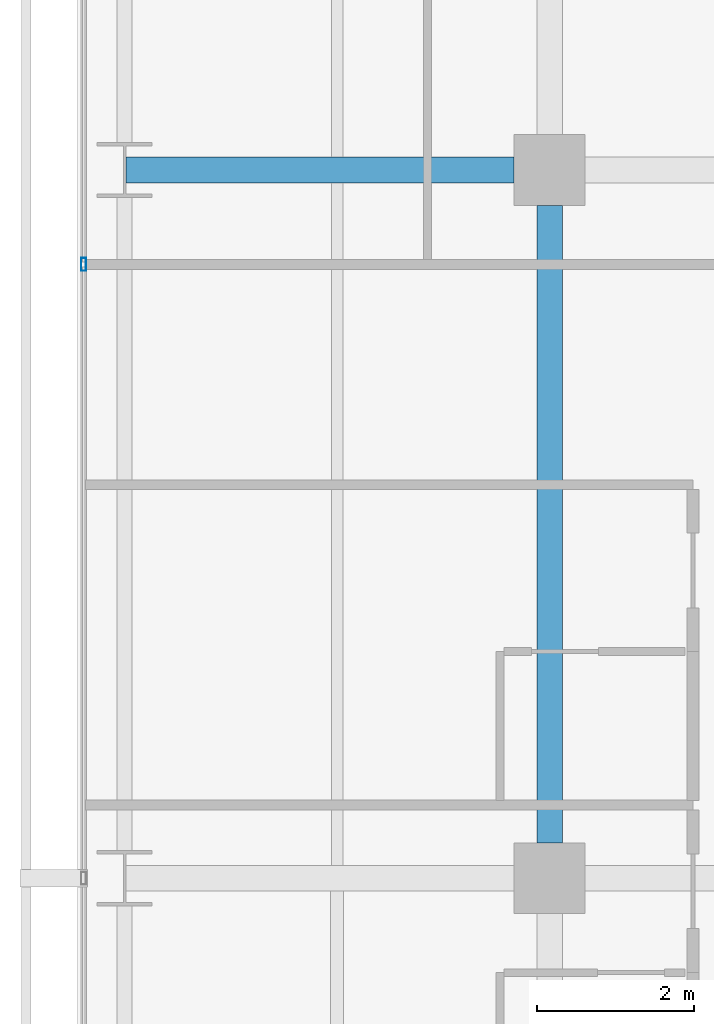
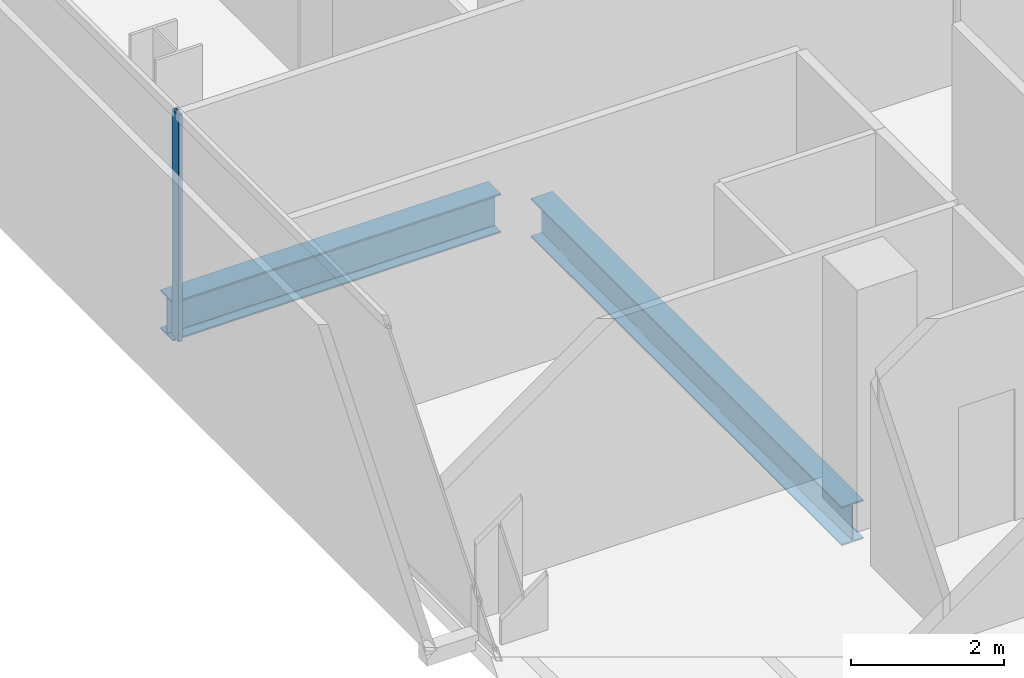
# One storey, part 21 of 40: 2 beams, 1 member, 1 element without a shape of its own.
"""IFC4 building model written with IfcOpenShell, lengths in metres."""

from ifc_helpers import new_model, si_unit, direction, frame, origin, origin_2d, place, context, subcontext, project, spatial, hollow_rectangle, i_section, extrude, material, layer, layer_set, material_profile, profile_set, type_object, element, aggregate, save


model = new_model("IFC4")

# Units and contexts
model_context = context("Model", 3, precision=1e-05, world=origin(), true_north=direction((0.0, 1.0)))
body_context = subcontext(model_context, "Body", "Model", "MODEL_VIEW")
ifc_project = project(units=[si_unit("LENGTHUNIT", "METRE"), si_unit("AREAUNIT", "SQUARE_METRE"), si_unit("VOLUMEUNIT", "CUBIC_METRE"), si_unit("PLANEANGLEUNIT", "RADIAN"), si_unit("MASSUNIT", "GRAM", prefix="KILO")], contexts=[model_context])

# Site, building, storey
site_placement = place(None, origin())
site = spatial("IfcSite", under=ifc_project, at=site_placement, CompositionType="ELEMENT")
building_placement = place(site_placement, origin())
building = spatial("IfcBuilding", under=site, at=building_placement, Name="Maruvema Waterfront Hotel and Observation Tower", CompositionType="ELEMENT")
storey_placement = place(building_placement, frame((0.0, 0.0, 57.75)))
storey = spatial("IfcBuildingStorey", under=building, at=storey_placement, Name="L13", CompositionType="ELEMENT", Elevation=57.75)

# Curtain wall, member
ifc_material_1 = material(Name="Anodised bronze aluminium and solar-control low-E IGU", Category="aluminium")
ifc_layer = layer(ifc_material_1, 0.159912109375, Name="Zone 1 Bronze Inner Thermal Curtain Wall System CW-02")
ifc_layer_set = layer_set([ifc_layer], Name="Anodised bronze aluminium and solar-control low-E IGU")
curtain_wall_type = type_object("IfcCurtainWallType", Name="Zone 1 Bronze Inner Thermal Curtain Wall System CW-02", PredefinedType="USERDEFINED", material=ifc_layer_set)
curtain_wall_placement = place(storey_placement, origin())
curtain_wall = element("IfcCurtainWall", 1, at=curtain_wall_placement, inside=storey, type_object=curtain_wall_type, Name="L13 Curtain Wall CW-L13-W", ObjectType="UNITISED CURTAIN WALL", PredefinedType="USERDEFINED")
ifc_material_2 = material(Name="Anodised architectural bronze aluminium", Category="aluminium")
ifc_material_profile_1 = material_profile(ifc_material_2, hollow_rectangle(XDim=0.06494140625, YDim=0.1650390625, WallThickness=0.00390625, at=origin_2d()), Name="ALU-M65x165")
ifc_profile_set_1 = profile_set([ifc_material_profile_1], Name="Anodised architectural bronze aluminium")
member_type = type_object("IfcMemberType", Name="Curtain Wall Primary Mullion ALU-M65x165", PredefinedType="MULLION", material=ifc_profile_set_1)
member_placement = place(storey_placement, frame((10.8798828125, 34.800048828125, 0.0), z_axis=(0.0, 0.0, 1.0), x_axis=(1.0, 0.0, 0.0)))
member = element("IfcMember", 2, at=member_placement, type_object=member_type, Name="CW-02 mullion 3", PredefinedType="MULLION", context=body_context, shape_type="SweptSolid", body=[
    extrude(hollow_rectangle(XDim=0.06494140625, YDim=0.1650390625, WallThickness=0.00390625, at=origin_2d()), origin(), (0.0, 0.0, 1.0), 3.610107421875),
])
aggregate(curtain_wall, [member])

# Beams
ifc_material_3 = material(Name="Steel ASTM A572 Grade 50", Category="steel")
ifc_material_profile_2 = material_profile(ifc_material_3, i_section(OverallWidth=0.326904296875, OverallDepth=0.6220703125, WebThickness=0.015380859375, FlangeThickness=0.0244140625, FilletRadius=0.01806640625, at=origin_2d()), Name="W610x195.0")
ifc_profile_set_2 = profile_set([ifc_material_profile_2], Name="Steel ASTM A572 Grade 50")
beam_type = type_object("IfcBeamType", Name="Primary Floor Girder W610x195.0", PredefinedType="BEAM", material=ifc_profile_set_2)
beam_1_placement = place(storey_placement, frame((11.4140625, 36.0, -0.551025390625), z_axis=(1.0, 0.0, 0.0), x_axis=(0.0, 1.0, 0.0)))
element("IfcBeam", 3, at=beam_1_placement, inside=storey, type_object=beam_type, Name="L13 Floor Girder EW-25", PredefinedType="BEAM", context=body_context, shape_type="SweptSolid", body=[
    extrude(i_section(OverallWidth=0.326904296875, OverallDepth=0.6220703125, WebThickness=0.015380859375, FlangeThickness=0.0244140625, FilletRadius=0.01806640625, at=origin_2d()), origin(), (0.0, 0.0, 1.0), 4.93603515625),
])
beam_2_placement = place(storey_placement, frame((16.800048828125, 27.449951171875, -0.551025390625), z_axis=(0.0, 1.0, 0.0), x_axis=(-1.0, 0.0, 0.0)))
element("IfcBeam", 4, at=beam_2_placement, inside=storey, type_object=beam_type, Name="L13 Floor Girder NS-08", PredefinedType="BEAM", context=body_context, shape_type="SweptSolid", body=[
    extrude(i_section(OverallWidth=0.326904296875, OverallDepth=0.6220703125, WebThickness=0.015380859375, FlangeThickness=0.0244140625, FilletRadius=0.01806640625, at=origin_2d()), origin(), (0.0, 0.0, 1.0), 8.10009765625),
])

save(model, "model.ifc")
